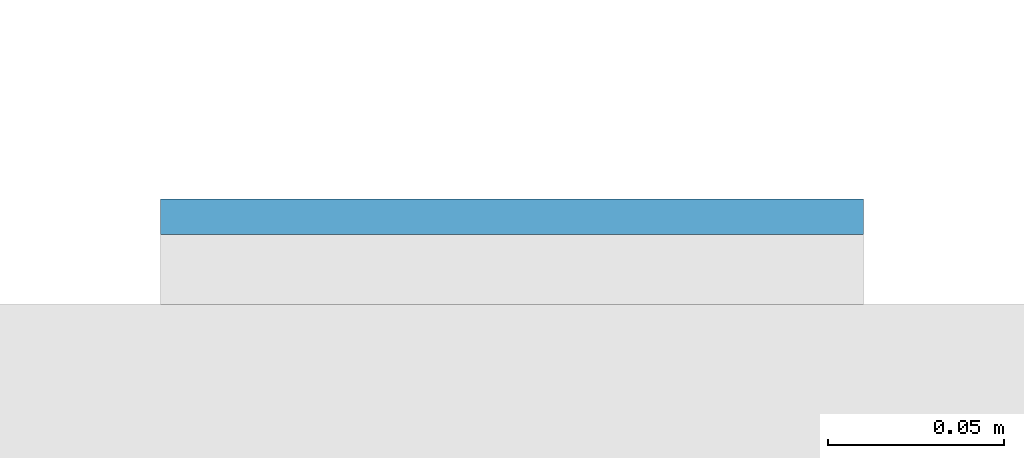
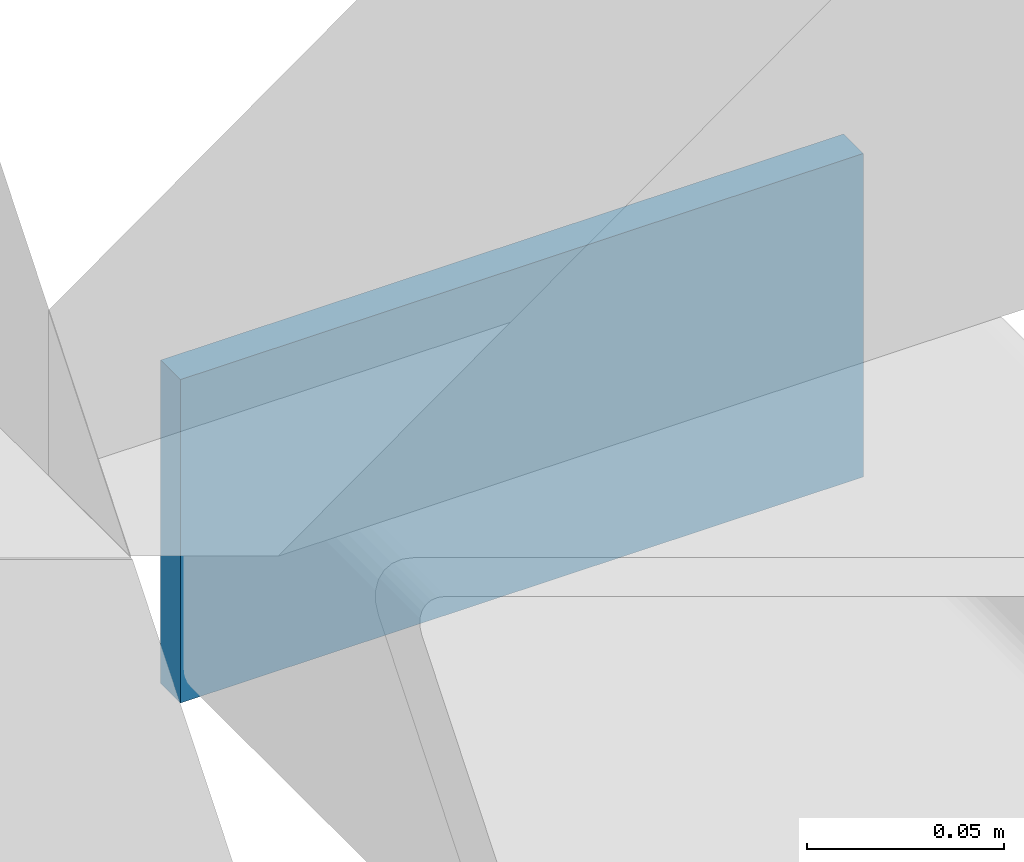
# One storey, part 11 of 20: 1 plate.
"""IFC4 building model written with IfcOpenShell, lengths in metres."""

import ifcopenshell
import ifcopenshell.guid

model = None  # the IFC model being written
_history = None  # IfcOwnerHistory: only IFC2X3 demands one
_inside = {}  # id of a spatial element -> (the spatial element, [elements in it])
_under = {}  # id of a project, library or spatial element -> (it, [spatial elements below it])
_declared = {}  # id of a project -> (the project, [libraries it declares])
_typed = {}  # id of a type object -> (the type object, [elements of that type])
_made_of = {}  # id of a material, layer set ... -> (it, [elements and type objects made of it])


def new_model(schema):
    """Start an empty IFC model of exactly this schema.

    Asked for "IFC4X3", IfcOpenShell would pick the latest addendum, in which some entities
    have other attributes; the version numbers below select the first issue.
    IFC2X3 requires an IfcOwnerHistory on every rooted entity: one is made here for all.
    """
    global model, _history
    if schema == "IFC4X3":
        model = ifcopenshell.file(schema_version=(4, 3, 0, 0))
    else:
        model = ifcopenshell.file(schema=schema)
    _inside.clear()
    _under.clear()
    _declared.clear()
    _typed.clear()
    _made_of.clear()
    _history = None
    if model.schema == "IFC2X3":
        org = make("IfcOrganization", Name="unknown")
        user = make(
            "IfcPersonAndOrganization",
            ThePerson=make("IfcPerson", FamilyName="unknown"),
            TheOrganization=org,
        )
        app = make(
            "IfcApplication",
            ApplicationDeveloper=org,
            Version="unknown",
            ApplicationFullName="unknown",
            ApplicationIdentifier="unknown",
        )
        _history = make(
            "IfcOwnerHistory",
            OwningUser=user,
            OwningApplication=app,
            ChangeAction="ADDED",
            CreationDate=0,
        )
    return model


def make(cls, **values):
    """One entity of the class cls with the attributes given. An attribute that is None is left unset."""
    return model.create_entity(
        cls, **{name: value for name, value in values.items() if value is not None}
    )


def rooted(cls, **values):
    """An entity with a GlobalId (a new one), such as an element, a storey or a relation."""
    return make(cls, GlobalId=ifcopenshell.guid.new(), OwnerHistory=_history, **values)


def si_unit(unit_type, name, prefix=None):
    """IfcSIUnit, for example si_unit("LENGTHUNIT", "METRE", prefix="MILLI")."""
    return make("IfcSIUnit", UnitType=unit_type, Prefix=prefix, Name=name)


def assignment(units):
    """IfcUnitAssignment: the units of a project."""
    return None if units is None else make("IfcUnitAssignment", Units=units)


def point(xyz):
    """IfcCartesianPoint."""
    return None if xyz is None else make("IfcCartesianPoint", Coordinates=xyz)


def direction(xyz):
    """IfcDirection."""
    return None if xyz is None else make("IfcDirection", DirectionRatios=xyz)


def frame(location, z_axis=None, x_axis=None):
    """IfcAxis2Placement3D, a coordinate frame: its origin and axes. An axis left out is left unset."""
    return make(
        "IfcAxis2Placement3D",
        Location=point(location),
        Axis=direction(z_axis),
        RefDirection=direction(x_axis),
    )


def frame_2d(location, x_axis=None):
    """IfcAxis2Placement2D, a coordinate frame in the plane: its origin and x axis."""
    return make(
        "IfcAxis2Placement2D", Location=point(location), RefDirection=direction(x_axis)
    )


def origin():
    """The frame at (0, 0, 0) with its axes left unset."""
    return frame((0.0, 0.0, 0.0))


def origin_2d():
    """The frame at (0, 0) in the plane with its x axis left unset."""
    return frame_2d((0.0, 0.0))


def place(relative_to, where):
    """IfcLocalPlacement: puts the frame where relative to a parent placement (None: the world)."""
    return make(
        "IfcLocalPlacement", PlacementRelTo=relative_to, RelativePlacement=where
    )


def context(
    kind, dimensions, precision=None, world=None, true_north=None, identifier=None
):
    """IfcGeometricRepresentationContext, for example the 3D "Model" context."""
    return make(
        "IfcGeometricRepresentationContext",
        ContextIdentifier=identifier,
        ContextType=kind,
        CoordinateSpaceDimension=dimensions,
        Precision=precision,
        WorldCoordinateSystem=world,
        TrueNorth=true_north,
    )


def subcontext(parent, identifier, kind, view, scale=None):
    """IfcGeometricRepresentationSubContext, for example "Body" below "Model"."""
    return make(
        "IfcGeometricRepresentationSubContext",
        ContextIdentifier=identifier,
        ContextType=kind,
        ParentContext=parent,
        TargetScale=scale,
        TargetView=view,
    )


def project(units=None, contexts=None):
    """IfcProject with its units and contexts."""
    return rooted(
        "IfcProject",
        Name="project",
        RepresentationContexts=contexts,
        UnitsInContext=assignment(units),
    )


def spatial(cls, under=None, at=None, **own):
    """A site, building, storey or space (cls), placed at a placement, below another one or the project."""
    s = rooted(cls, ObjectPlacement=at, **own)
    if under is not None:
        _under.setdefault(under.id(), (under, []))[1].append(s)
    return s


def profile(cls, at=None, kind="AREA", **sizes):
    """A parametric profile (cls). Its sizes go by their IFC names, for example OverallWidth=200.0."""
    return make(cls, ProfileType=kind, Position=at, **sizes)


def rectangle(**sizes):
    """IfcRectangleProfileDef."""
    return profile("IfcRectangleProfileDef", **sizes)


def extrude(swept, where, along, depth):
    """IfcExtrudedAreaSolid: the profile swept, set in the frame where, extruded along a direction by depth."""
    return make(
        "IfcExtrudedAreaSolid",
        SweptArea=swept,
        Position=where,
        ExtrudedDirection=direction(along),
        Depth=depth,
    )


def shape(context_of_items, identifier, shape_type, items):
    """IfcShapeRepresentation: the items that make up one representation, for example the "Body"."""
    return make(
        "IfcShapeRepresentation",
        ContextOfItems=context_of_items,
        RepresentationIdentifier=identifier,
        RepresentationType=shape_type,
        Items=items,
    )


def material(Name=None, Category=None):
    """IfcMaterial."""
    return make("IfcMaterial", Name=Name, Category=Category)


def layer(
    of_material, thickness, ventilated=None, Name=None, Category=None, Priority=None
):
    """IfcMaterialLayer: one layer of a wall or slab, of a material (None: an air gap)."""
    return make(
        "IfcMaterialLayer",
        Material=of_material,
        LayerThickness=thickness,
        IsVentilated=ventilated,
        Name=Name,
        Category=Category,
        Priority=Priority,
    )


def layer_set(layers, Name=None):
    """IfcMaterialLayerSet."""
    return make("IfcMaterialLayerSet", MaterialLayers=layers, LayerSetName=Name)


def made_of(thing, what):
    """Note that an element or type object is made of a material, layer set ...; save() writes the relation."""
    if what is not None:
        _made_of.setdefault(what.id(), (what, []))[1].append(thing)
    return thing


def type_object(cls, material=None, **own):
    """A type object (cls), such as IfcWallType, which elements share."""
    return made_of(rooted(cls, **own), material)


def element(
    cls,
    number,
    at=None,
    inside=None,
    cuts=None,
    type_object=None,
    material=None,
    context=None,
    identifier="Body",
    shape_type=None,
    held_by="IfcProductDefinitionShape",
    body=None,
    shapes=None,
    **own,
):
    """One element of the class cls, such as IfcWall. Its Tag is "e" and its number.

    at: its placement. inside: the storey or other place that contains it. cuts: it is an
    opening in that element (IfcRelVoidsElement). A single representation is given by context,
    identifier, shape_type and body (its items); several are given by shapes. held_by: the class
    of the entity that holds the representations. save() writes the other relations.
    """
    e = rooted(cls, Tag="e%d" % number, ObjectPlacement=at, **own)
    if body is not None:
        shapes = [shape(context, identifier, shape_type, body)]
    if shapes is not None:
        e.Representation = make(held_by, Representations=shapes)
    if inside is not None:
        _inside.setdefault(inside.id(), (inside, []))[1].append(e)
    if cuts is not None:
        rooted(
            "IfcRelVoidsElement", RelatingBuildingElement=cuts, RelatedOpeningElement=e
        )
    if type_object is not None:
        _typed.setdefault(type_object.id(), (type_object, []))[1].append(e)
    return made_of(e, material)


def aggregate(whole, parts):
    """IfcRelAggregates: a whole, such as a stair, and the parts it consists of."""
    return rooted("IfcRelAggregates", RelatingObject=whole, RelatedObjects=parts)


def save(model, path):
    """Write the relations noted so far, then the file.

    IfcRelAggregates (storeys below a building ...), IfcRelContainedInSpatialStructure (elements
    in a storey), IfcRelDefinesByType, IfcRelAssociatesMaterial and IfcRelDeclares: one each for
    every whole, place, type object, material and project.
    """
    for whole, parts in _under.values():
        aggregate(whole, parts)
    for where, things in _inside.values():
        rooted(
            "IfcRelContainedInSpatialStructure",
            RelatedElements=things,
            RelatingStructure=where,
        )
    for kind, things in _typed.values():
        rooted("IfcRelDefinesByType", RelatedObjects=things, RelatingType=kind)
    for what, things in _made_of.values():
        rooted("IfcRelAssociatesMaterial", RelatedObjects=things, RelatingMaterial=what)
    for by, libraries in _declared.values():
        rooted("IfcRelDeclares", RelatingContext=by, RelatedDefinitions=libraries)
    model.write(path)


model = new_model("IFC4")

# Units and contexts
model_context = context("Model", 3, precision=1e-05, world=origin(), true_north=direction((0.0, 1.0)))
body_context = subcontext(model_context, "Body", "Model", "MODEL_VIEW")
ifc_project = project(units=[si_unit("LENGTHUNIT", "METRE"), si_unit("AREAUNIT", "SQUARE_METRE"), si_unit("VOLUMEUNIT", "CUBIC_METRE"), si_unit("PLANEANGLEUNIT", "RADIAN"), si_unit("MASSUNIT", "GRAM", prefix="KILO")], contexts=[model_context])

# Site, building, storey
site_placement = place(None, origin())
site = spatial("IfcSite", under=ifc_project, at=site_placement, CompositionType="ELEMENT")
building_placement = place(site_placement, origin())
building = spatial("IfcBuilding", under=site, at=building_placement, Name="Cleftline Residences", CompositionType="ELEMENT")
storey_placement = place(building_placement, frame((0.0, 0.0, 203.800048828125)))
storey = spatial("IfcBuildingStorey", under=building, at=storey_placement, Name="L53", CompositionType="ELEMENT", Elevation=203.800048828125)

# Plate
ifc_material = material(Name="Steel S355, hot-dip galvanised", Category="steel")
ifc_layer = layer(ifc_material, 0.010009765625)
ifc_layer_set = layer_set([ifc_layer], Name="BAGUETTE CARRIER END PLATE 200X100X10")
plate_type = type_object("IfcPlateType", Name="BAGUETTE CARRIER END PLATE 200X100X10", PredefinedType="USERDEFINED", material=ifc_layer_set)
plate_placement = place(storey_placement, frame((66.85009765625, 44.304931640625, -0.10009765625), z_axis=(0.0, 0.0, 1.0), x_axis=(1.0, 0.0, 0.0)))
element("IfcPlate", 1, at=plate_placement, inside=storey, type_object=plate_type, Name="Baguette carrier end plate", ObjectType="BAGUETTE CARRIER END PLATE", PredefinedType="USERDEFINED", context=body_context, shape_type="SweptSolid", body=[
    extrude(rectangle(XDim=0.199951171875, YDim=0.010009765625, at=origin_2d()), origin(), (0.0, 0.0, 1.0), 0.10009765625),
])

save(model, "model.ifc")
